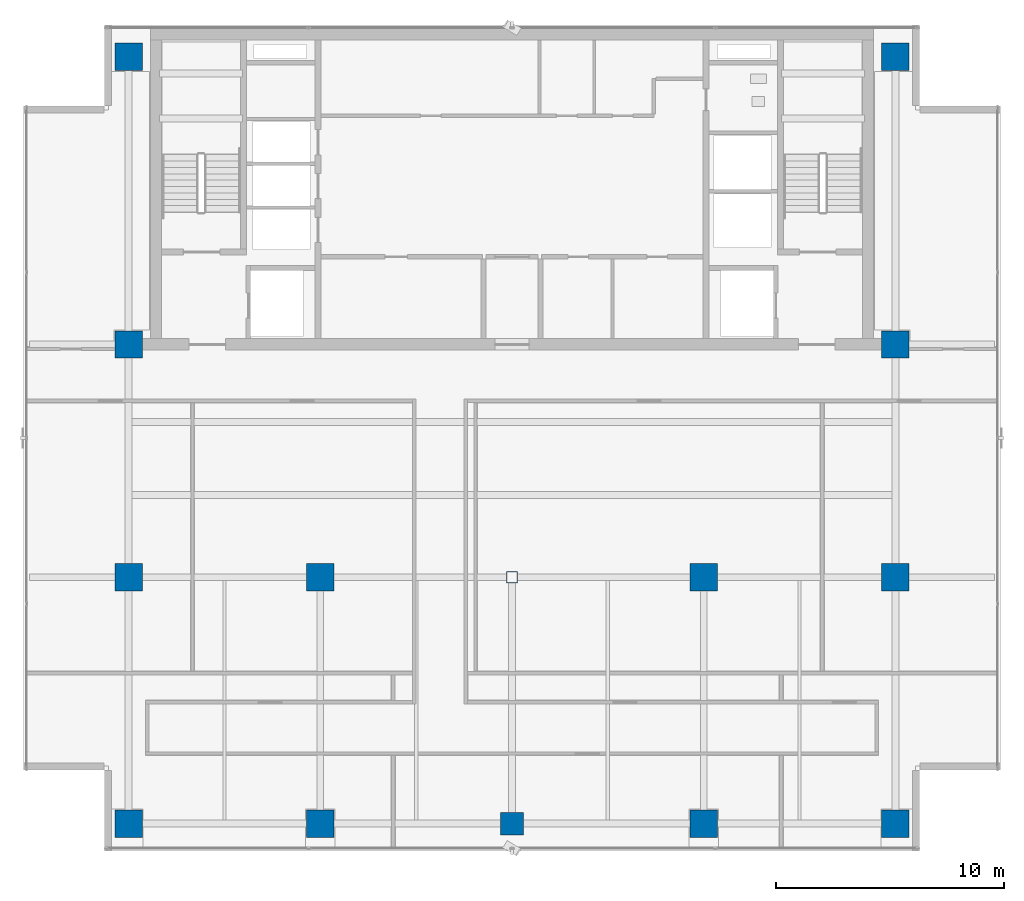
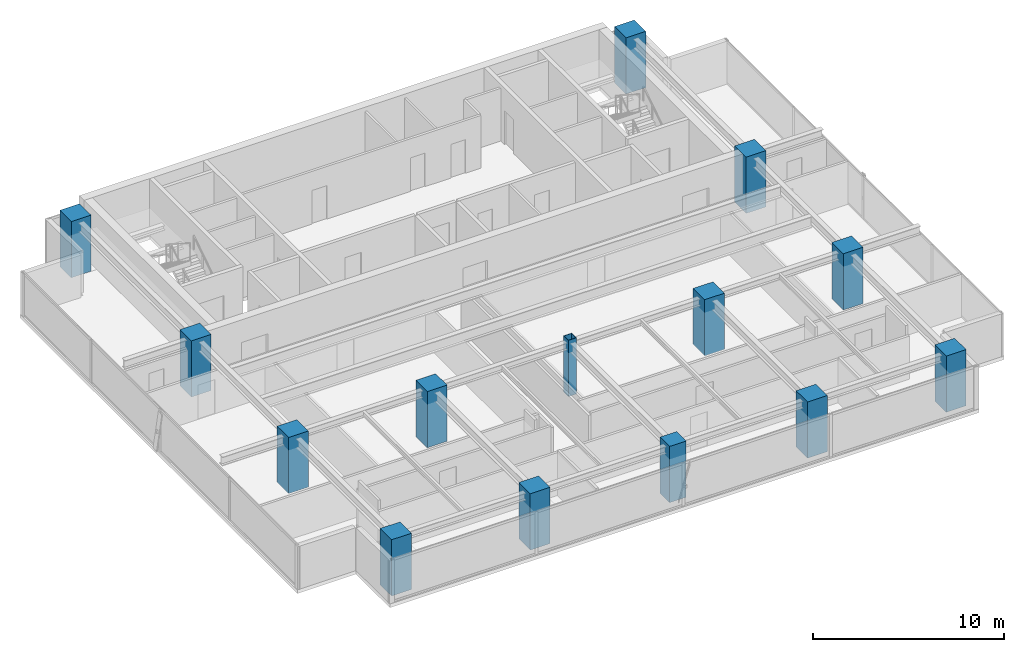
# One storey, part 1 of 20: 14 columns.
"""IFC4 building model written with IfcOpenShell, lengths in metres."""

from ifc_helpers import new_model, si_unit, direction, frame, origin, origin_with_axes, origin_2d, place, context, subcontext, project, spatial, rectangle, hollow_rectangle, extrude, source, transform, mapped, material, material_profile, profile_set, type_object, element, save


model = new_model("IFC4")

# Units and contexts
model_context = context("Model", 3, precision=1e-05, world=origin(), true_north=direction((0.0, 1.0)))
body_context = subcontext(model_context, "Body", "Model", "MODEL_VIEW")
ifc_project = project(units=[si_unit("LENGTHUNIT", "METRE"), si_unit("AREAUNIT", "SQUARE_METRE"), si_unit("VOLUMEUNIT", "CUBIC_METRE"), si_unit("PLANEANGLEUNIT", "RADIAN"), si_unit("MASSUNIT", "GRAM", prefix="KILO")], contexts=[model_context])

# Site, building, storey
site_placement = place(None, origin())
site = spatial("IfcSite", under=ifc_project, at=site_placement, CompositionType="ELEMENT")
building_placement = place(site_placement, origin())
building = spatial("IfcBuilding", under=site, at=building_placement, Name="Sumidabori Civic Tower", CompositionType="ELEMENT")
storey_placement = place(building_placement, frame((0.0, 0.0, 282.800048828125)))
storey = spatial("IfcBuildingStorey", under=building, at=storey_placement, Name="L74", CompositionType="ELEMENT", Elevation=282.800048828125)

# Columns
ifc_material_1 = material(Name="Concrete C50/60", Category="concrete")
ifc_material_profile_1 = material_profile(ifc_material_1, rectangle(XDim=1.0, YDim=1.0, at=origin_2d()), Name="RC 1000x1000")
ifc_profile_set_1 = profile_set([ifc_material_profile_1], Name="Concrete C50/60")
column_type_1 = type_object("IfcColumnType", Name="CL-INT-1000", PredefinedType="COLUMN", material=ifc_profile_set_1)
shared_shape_1 = source(origin(), body_context, "Body", "SweptSolid", [
    extrude(rectangle(XDim=1.0, YDim=1.0, at=origin_2d()), origin(), (0.0, 0.0, 1.0), 3.599853515625),
])
column_1_placement = place(storey_placement, frame((0.0, -10.800048828125, 0.0), z_axis=(0.0, 0.0, 1.0), x_axis=(1.0, 0.0, 0.0)))
element("IfcColumn", 1, at=column_1_placement, inside=storey, type_object=column_type_1, Name="Column MC-C00-Y11S L74", PredefinedType="COLUMN", context=body_context, shape_type="MappedRepresentation", body=[
    mapped(shared_shape_1, transform((0.0, 0.0, 0.0), x_axis=(1.0, 0.0, 0.0), y_axis=(0.0, 1.0, 0.0), z_axis=(0.0, 0.0, 1.0), scale=1.0)),
])
ifc_material_profile_2 = material_profile(ifc_material_1, rectangle(XDim=1.199951171875, YDim=1.199951171875, at=origin_2d()), Name="RC 1200x1200")
ifc_profile_set_2 = profile_set([ifc_material_profile_2], Name="Concrete C50/60")
column_type_2 = type_object("IfcColumnType", Name="CL-MEGA-1200", PredefinedType="COLUMN", material=ifc_profile_set_2)
shared_shape_2 = source(origin(), body_context, "Body", "SweptSolid", [
    extrude(rectangle(XDim=1.199951171875, YDim=1.199951171875, at=origin_2d()), origin(), (0.0, 0.0, 1.0), 3.599853515625),
])
for number, where, z_axis, x_axis, name in (
    (2, (-16.800048828125, -10.800048828125, 0.0), (0.0, 0.0, 1.0), (1.0, 0.0, 0.0), "Column MC-W16-Y11S L74"),
    (3, (-16.800048828125, 0.0, 0.0), (0.0, 0.0, 1.0), (1.0, 0.0, 0.0), "Column MC-W16-Y00 L74"),
    (4, (-16.800048828125, 10.199951171875, 0.0), (0.0, 0.0, 1.0), (1.0, 0.0, 0.0), "Column MC-W16-Y10N L74"),
    (5, (-16.800048828125, 22.800048828125, 0.0), (0.0, 0.0, 1.0), (1.0, 0.0, 0.0), "Column MC-W16-Y23N L74"),
    (6, (16.800048828125, -10.800048828125, 0.0), (0.0, 0.0, 1.0), (1.0, 0.0, 0.0), "Column MC-E16-Y11S L74"),
    (7, (16.800048828125, 0.0, 0.0), (0.0, 0.0, 1.0), (1.0, 0.0, 0.0), "Column MC-E16-Y00 L74"),
    (8, (16.800048828125, 10.199951171875, 0.0), (0.0, 0.0, 1.0), (1.0, 0.0, 0.0), "Column MC-E16-Y10N L74"),
    (9, (16.800048828125, 22.800048828125, 0.0), (0.0, 0.0, 1.0), (1.0, 0.0, 0.0), "Column MC-E16-Y23N L74"),
    (10, (-8.39990234375, 0.0, 0.0), (0.0, 0.0, 1.0), (1.0, 0.0, 0.0), "Column MC-W08-Y00 L74"),
    (11, (-8.39990234375, -10.800048828125, 0.0), (0.0, 0.0, 1.0), (1.0, 0.0, 0.0), "Column MC-W08-Y11S L74"),
    (12, (8.39990234375, 0.0, 0.0), (0.0, 0.0, 1.0), (1.0, 0.0, 0.0), "Column MC-E08-Y00 L74"),
    (13, (8.39990234375, -10.800048828125, 0.0), (0.0, 0.0, 1.0), (1.0, 0.0, 0.0), "Column MC-E08-Y11S L74"),
):
    element("IfcColumn", number, at=place(storey_placement, frame(where, z_axis=z_axis, x_axis=x_axis)), inside=storey, type_object=column_type_2, Name=name, PredefinedType="COLUMN", context=body_context, shape_type="MappedRepresentation", body=[
        mapped(shared_shape_2, transform((0.0, 0.0, 0.0), x_axis=(1.0, 0.0, 0.0), y_axis=(0.0, 1.0, 0.0), z_axis=(0.0, 0.0, 1.0), scale=1.0)),
    ])
ifc_material_2 = material(Name="Steel SN490", Category="steel")
ifc_material_profile_3 = material_profile(ifc_material_2, hollow_rectangle(XDim=0.5, YDim=0.5, WallThickness=0.02490234375, at=origin_2d()), Name="SHS 500x500x25")
ifc_profile_set_3 = profile_set([ifc_material_profile_3], Name="Steel SN490")
column_type_3 = type_object("IfcColumnType", Name="CL-CRN-SHS500", PredefinedType="COLUMN", material=ifc_profile_set_3)
shared_shape_3 = source(origin(), body_context, "Body", "SweptSolid", [
    extrude(hollow_rectangle(XDim=0.5, YDim=0.5, WallThickness=0.02490234375, at=origin_2d()), origin(), (0.0, 0.0, 1.0), 3.599853515625),
])
column_2_placement = place(storey_placement, origin_with_axes())
element("IfcColumn", 14, at=column_2_placement, inside=storey, type_object=column_type_3, Name="Column MC-C00-Y00 L74", PredefinedType="COLUMN", context=body_context, shape_type="MappedRepresentation", body=[
    mapped(shared_shape_3, transform((0.0, 0.0, 0.0), x_axis=(1.0, 0.0, 0.0), y_axis=(0.0, 1.0, 0.0), z_axis=(0.0, 0.0, 1.0), scale=1.0)),
])

save(model, "model.ifc")
